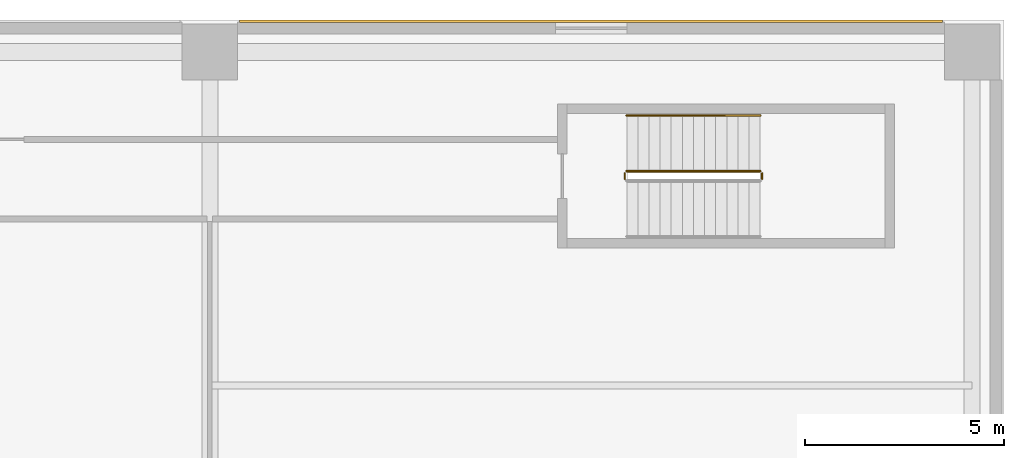
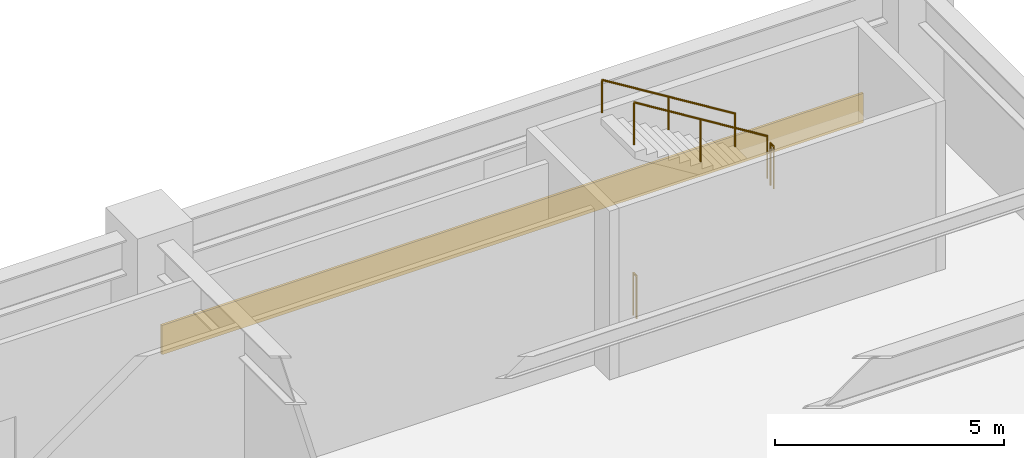
# One storey, part 28 of 28: 4 railings, 1 covering.
"""IFC4 building model written with IfcOpenShell, lengths in metres."""

from ifc_helpers import new_model, si_unit, direction, frame, origin, origin_2d, place, context, subcontext, project, spatial, rectangle, circle, extrude, material, layer, layer_set, type_object, element, save


model = new_model("IFC4")

# Units and contexts
model_context = context("Model", 3, precision=1e-05, world=origin(), true_north=direction((0.0, 1.0)))
body_context = subcontext(model_context, "Body", "Model", "MODEL_VIEW")
ifc_project = project(units=[si_unit("LENGTHUNIT", "METRE"), si_unit("AREAUNIT", "SQUARE_METRE"), si_unit("VOLUMEUNIT", "CUBIC_METRE"), si_unit("PLANEANGLEUNIT", "RADIAN"), si_unit("MASSUNIT", "GRAM", prefix="KILO")], contexts=[model_context])

# Site, building, storey
site_placement = place(None, origin())
site = spatial("IfcSite", under=ifc_project, at=site_placement, CompositionType="ELEMENT")
building_placement = place(site_placement, origin())
building = spatial("IfcBuilding", under=site, at=building_placement, Name="Soratama Intermodal Tower", CompositionType="ELEMENT")
storey_placement = place(building_placement, frame((0.0, 0.0, 16.199951171875)))
storey = spatial("IfcBuildingStorey", under=building, at=storey_placement, Name="L03", CompositionType="ELEMENT", Elevation=16.199951171875)

# Covering
ifc_material_1 = material(Name="Honed Andean limestone cladding", Category="masonry")
ifc_layer = layer(ifc_material_1, 0.06005859375)
ifc_layer_set = layer_set([ifc_layer], Name="Honed Andean limestone cladding")
covering_type = type_object("IfcCoveringType", Name="CV-STONE-CLAD", PredefinedType="CLADDING", material=ifc_layer_set)
covering_placement = place(storey_placement, frame((73.60009765625, 47.97607421875, 0.0302734375), z_axis=(0.0, 0.0, 1.0), x_axis=(1.0, 0.0, 0.0)))
element("IfcCovering", 1, at=covering_placement, inside=storey, type_object=covering_type, Name="L03 N Cladding B5", PredefinedType="CLADDING", context=body_context, shape_type="SweptSolid", body=[
    extrude(rectangle(XDim=17.699951171875, YDim=0.06005859375, at=origin_2d()), origin(), (0.0, 0.0, 1.0), 0.780029296875),
])

# Railings
ifc_material_2 = material(Name="Painted steel stair guardrail", Category="steel")
railing_type_1 = type_object("IfcRailingType", Name="RL-STAIR-GUARD", PredefinedType="GUARDRAIL", material=ifc_material_2)
railing_1_placement = place(storey_placement, frame((77.909912109375, 44.0, 2.25)))
element("IfcRailing", 2, at=railing_1_placement, inside=storey, type_object=railing_type_1, Name="L03 ST-4 stair guard 2", PredefinedType="GUARDRAIL", context=body_context, shape_type="SweptSolid", body=[
    extrude(circle(Radius=0.02392578125, at=origin_2d()), frame((0.0, 0.0, 1.1259765625), z_axis=(0.0, 1.0, 0.0), x_axis=(-1.0, 0.0, 0.0)), (0.0, 0.0, 1.0), 0.14990234375),
    extrude(circle(Radius=0.02099609375, at=origin_2d()), origin(), (0.0, 0.0, 1.0), 1.101806640625),
    extrude(circle(Radius=0.02099609375, at=origin_2d()), frame((0.0, 0.14990234375, 0.0)), (0.0, 0.0, 1.0), 1.101806640625),
])
railing_2_placement = place(storey_placement, frame((77.860107421875, 44.199951171875, 2.423095703125)))
element("IfcRailing", 3, at=railing_2_placement, inside=storey, type_object=railing_type_1, Name="L03 ST-4 stair guard 3", PredefinedType="GUARDRAIL", context=body_context, shape_type="SweptSolid", body=[
    extrude(circle(Radius=0.02392578125, at=origin_2d()), frame((0.0, 0.0, 1.1259765625), z_axis=(-0.850623216509, 0.0, 0.525775754039), x_axis=(0.0, -1.0, 0.0)), (0.0, 0.0, 1.0), 3.9501953125),
    extrude(circle(Radius=0.02099609375, at=origin_2d()), origin(), (0.0, 0.0, 1.0), 1.101806640625),
    extrude(circle(Radius=0.02099609375, at=origin_2d()), frame((-1.68017578125, 0.0, 1.03857421875)), (0.0, 0.0, 1.0), 1.101806640625),
    extrude(circle(Radius=0.02099609375, at=origin_2d()), frame((-3.360107421875, 0.0, 2.076904296875)), (0.0, 0.0, 1.0), 1.101806640625),
])
railing_3_placement = place(storey_placement, frame((74.449951171875, 44.0, 0.0)))
element("IfcRailing", 4, at=railing_3_placement, inside=storey, type_object=railing_type_1, Name="L03 ST-4 stair guard 4", PredefinedType="GUARDRAIL", context=body_context, shape_type="SweptSolid", body=[
    extrude(circle(Radius=0.02392578125, at=origin_2d()), frame((0.0, 0.0, 1.1259765625), z_axis=(0.0, 1.0, 0.0), x_axis=(-1.0, 0.0, 0.0)), (0.0, 0.0, 1.0), 0.14990234375),
    extrude(circle(Radius=0.02099609375, at=origin_2d()), origin(), (0.0, 0.0, 1.0), 1.101806640625),
    extrude(circle(Radius=0.02099609375, at=origin_2d()), frame((0.0, 0.14990234375, 0.0)), (0.0, 0.0, 1.0), 1.101806640625),
])
ifc_material_3 = material(Name="Brushed stainless steel handrail", Category="steel")
railing_type_2 = type_object("IfcRailingType", Name="RL-STAIR-HAND", PredefinedType="HANDRAIL", material=ifc_material_3)
railing_4_placement = place(storey_placement, frame((77.860107421875, 45.60009765625, 2.423095703125)))
element("IfcRailing", 5, at=railing_4_placement, inside=storey, type_object=railing_type_2, Name="L03 ST-4 stair handrail 2", PredefinedType="HANDRAIL", context=body_context, shape_type="SweptSolid", body=[
    extrude(circle(Radius=0.02392578125, at=origin_2d()), frame((0.0, 0.0, 0.8759765625), z_axis=(-0.850623216509, 0.0, 0.525775754039), x_axis=(0.0, -1.0, 0.0)), (0.0, 0.0, 1.0), 3.9501953125),
    extrude(circle(Radius=0.02099609375, at=origin_2d()), origin(), (0.0, 0.0, 1.0), 0.851806640625),
    extrude(circle(Radius=0.02099609375, at=origin_2d()), frame((-1.68017578125, 0.0, 1.03857421875)), (0.0, 0.0, 1.0), 0.851806640625),
    extrude(circle(Radius=0.02099609375, at=origin_2d()), frame((-3.360107421875, 0.0, 2.076904296875)), (0.0, 0.0, 1.0), 0.851806640625),
])

save(model, "model.ifc")
